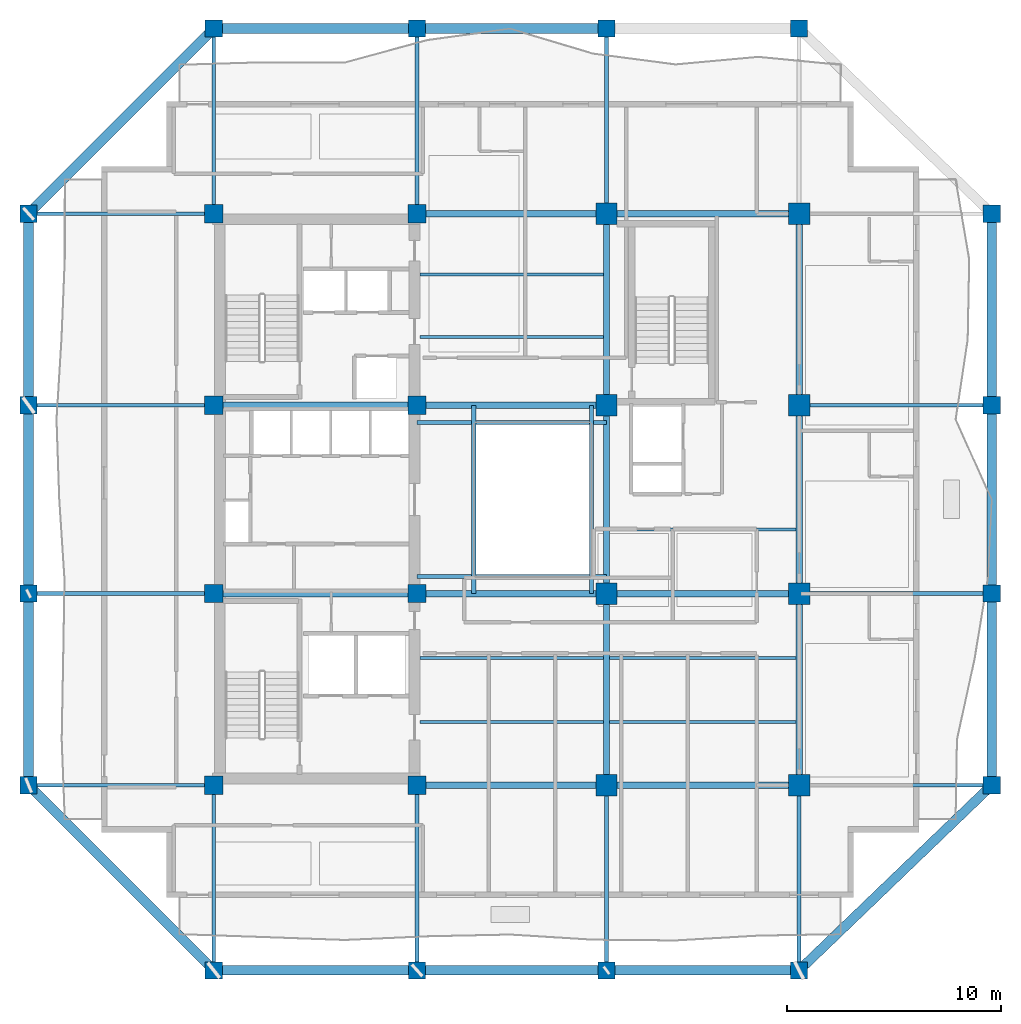
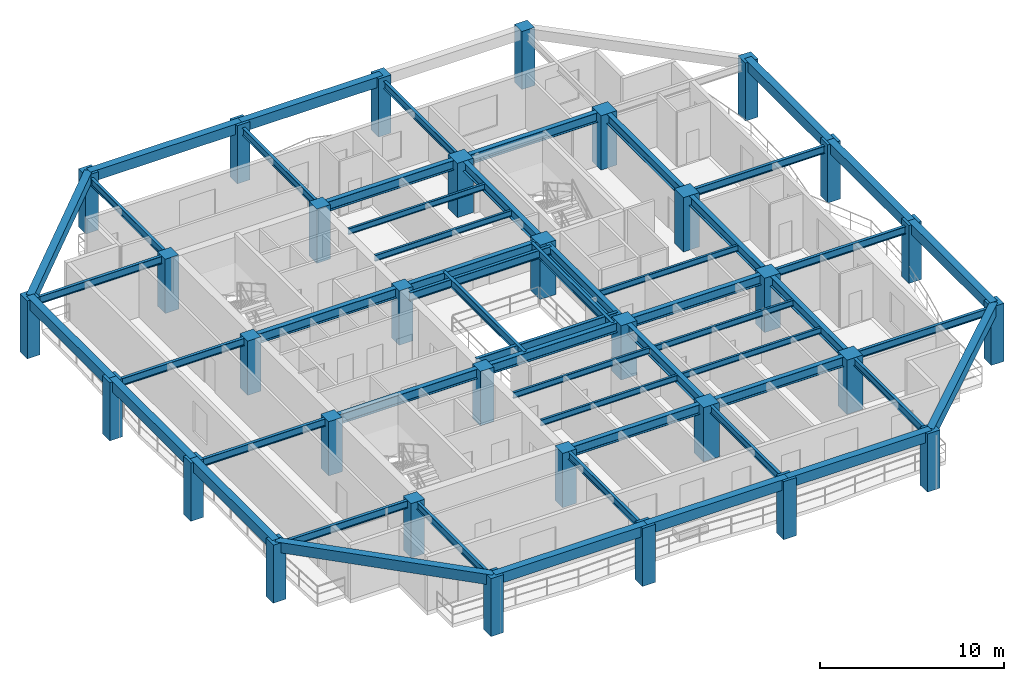
# One storey, part 1 of 11: 54 beams, 32 columns.
"""IFC4 building model written with IfcOpenShell, lengths in metres."""

from ifc_helpers import new_model, si_unit, direction, frame, origin, origin_2d, place, context, subcontext, project, spatial, rectangle, i_section, extrude, material, material_profile, profile_set, type_object, element, save


model = new_model("IFC4")

# Units and contexts
model_context = context("Model", 3, precision=1e-05, world=origin(), true_north=direction((0.0, 1.0)))
body_context = subcontext(model_context, "Body", "Model", "MODEL_VIEW")
ifc_project = project(units=[si_unit("LENGTHUNIT", "METRE"), si_unit("AREAUNIT", "SQUARE_METRE"), si_unit("VOLUMEUNIT", "CUBIC_METRE"), si_unit("PLANEANGLEUNIT", "RADIAN"), si_unit("MASSUNIT", "GRAM", prefix="KILO")], contexts=[model_context])

# Site, building, storey
site_placement = place(None, origin())
site = spatial("IfcSite", under=ifc_project, at=site_placement, CompositionType="ELEMENT")
building_placement = place(site_placement, origin())
building = spatial("IfcBuilding", under=site, at=building_placement, Name="Kundavana Baori Tower", CompositionType="ELEMENT")
storey_placement = place(building_placement, frame((0.0, 0.0, 146.35009765625)))
storey = spatial("IfcBuildingStorey", under=building, at=storey_placement, Name="L35", CompositionType="ELEMENT", Elevation=146.35009765625)

# Columns
ifc_material_1 = material(Name="Concrete C50/60", Category="concrete")
ifc_material_profile_1 = material_profile(ifc_material_1, rectangle(XDim=0.800048828125, YDim=0.800048828125, at=origin_2d()), Name="RC PF 800x800")
ifc_profile_set_1 = profile_set([ifc_material_profile_1], Name="Concrete C50/60")
column_type_1 = type_object("IfcColumnType", Name="COL-PF-800", PredefinedType="COLUMN", material=ifc_profile_set_1)
for number, where, z_axis, x_axis, name in (
    (1, (15.449951171875, 6.60009765625, 0.0), (0.0, 0.0, 1.0), (1.0, 0.0, 0.0), "L35 Stone-Clad Perimeter Frame Column PF-S1"),
    (2, (15.449951171875, 50.60009765625, 0.0), (0.0, 0.0, 1.0), (1.0, 0.0, 0.0), "L35 Stone-Clad Perimeter Frame Column PF-N1"),
    (3, (24.949951171875, 6.60009765625, 0.0), (0.0, 0.0, 1.0), (1.0, 0.0, 0.0), "L35 Stone-Clad Perimeter Frame Column PF-S2"),
    (4, (24.949951171875, 50.60009765625, 0.0), (0.0, 0.0, 1.0), (1.0, 0.0, 0.0), "L35 Stone-Clad Perimeter Frame Column PF-N2"),
    (5, (33.800048828125, 6.60009765625, 0.0), (0.0, 0.0, 1.0), (1.0, 0.0, 0.0), "L35 Stone-Clad Perimeter Frame Column PF-S3"),
    (6, (33.800048828125, 50.60009765625, 0.0), (0.0, 0.0, 1.0), (1.0, 0.0, 0.0), "L35 Stone-Clad Perimeter Frame Column PF-N3"),
    (7, (42.800048828125, 6.60009765625, 0.0), (0.0, 0.0, 1.0), (1.0, 0.0, 0.0), "L35 Stone-Clad Perimeter Frame Column PF-S4"),
    (8, (42.800048828125, 50.60009765625, 0.0), (0.0, 0.0, 1.0), (1.0, 0.0, 0.0), "L35 Stone-Clad Perimeter Frame Column PF-N4"),
    (9, (6.800048828125, 15.25, 0.0), (0.0, 0.0, 1.0), (1.0, 0.0, 0.0), "L35 Stone-Clad Perimeter Frame Column PF-W1"),
    (10, (51.800048828125, 15.25, 0.0), (0.0, 0.0, 1.0), (1.0, 0.0, 0.0), "L35 Stone-Clad Perimeter Frame Column PF-E1"),
    (11, (6.800048828125, 24.199951171875, 0.0), (0.0, 0.0, 1.0), (1.0, 0.0, 0.0), "L35 Stone-Clad Perimeter Frame Column PF-W2"),
    (12, (51.800048828125, 24.199951171875, 0.0), (0.0, 0.0, 1.0), (1.0, 0.0, 0.0), "L35 Stone-Clad Perimeter Frame Column PF-E2"),
    (13, (6.800048828125, 33.0, 0.0), (0.0, 0.0, 1.0), (1.0, 0.0, 0.0), "L35 Stone-Clad Perimeter Frame Column PF-W3"),
    (14, (51.800048828125, 33.0, 0.0), (0.0, 0.0, 1.0), (1.0, 0.0, 0.0), "L35 Stone-Clad Perimeter Frame Column PF-E3"),
    (15, (6.800048828125, 41.949951171875, 0.0), (0.0, 0.0, 1.0), (1.0, 0.0, 0.0), "L35 Stone-Clad Perimeter Frame Column PF-W4"),
    (16, (51.800048828125, 41.949951171875, 0.0), (0.0, 0.0, 1.0), (1.0, 0.0, 0.0), "L35 Stone-Clad Perimeter Frame Column PF-E4"),
):
    element("IfcColumn", number, at=place(storey_placement, frame(where, z_axis=z_axis, x_axis=x_axis)), inside=storey, type_object=column_type_1, Name=name, PredefinedType="COLUMN", context=body_context, shape_type="SweptSolid", body=[
        extrude(rectangle(XDim=0.800048828125, YDim=0.800048828125, at=origin_2d()), origin(), (0.0, 0.0, 1.0), 3.849853515625),
    ])
ifc_material_2 = material(Name="Concrete C50/60", Category="concrete")
ifc_material_profile_2 = material_profile(ifc_material_2, rectangle(XDim=1.0, YDim=1.0, at=origin_2d()), Name="RC 1000x1000")
ifc_profile_set_2 = profile_set([ifc_material_profile_2], Name="Concrete C50/60")
column_type_2 = type_object("IfcColumnType", Name="COL-RC-1000", PredefinedType="COLUMN", material=ifc_profile_set_2)
for number, where, z_axis, x_axis, name in (
    (17, (33.800048828125, 15.25, 0.0), (0.0, 0.0, 1.0), (1.0, 0.0, 0.0), "L35 Interior Column IC-5C"),
    (18, (33.800048828125, 24.199951171875, 0.0), (0.0, 0.0, 1.0), (1.0, 0.0, 0.0), "L35 Interior Column IC-5D"),
    (19, (33.800048828125, 33.0, 0.0), (0.0, 0.0, 1.0), (1.0, 0.0, 0.0), "L35 Interior Column IC-5E"),
    (20, (33.800048828125, 41.949951171875, 0.0), (0.0, 0.0, 1.0), (1.0, 0.0, 0.0), "L35 Interior Column IC-5F"),
    (21, (42.800048828125, 15.25, 0.0), (0.0, 0.0, 1.0), (1.0, 0.0, 0.0), "L35 Interior Column IC-6C"),
    (22, (42.800048828125, 24.199951171875, 0.0), (0.0, 0.0, 1.0), (1.0, 0.0, 0.0), "L35 Interior Column IC-6D"),
    (23, (42.800048828125, 33.0, 0.0), (0.0, 0.0, 1.0), (1.0, 0.0, 0.0), "L35 Interior Column IC-6E"),
    (24, (42.800048828125, 41.949951171875, 0.0), (0.0, 0.0, 1.0), (1.0, 0.0, 0.0), "L35 Interior Column IC-6F"),
):
    element("IfcColumn", number, at=place(storey_placement, frame(where, z_axis=z_axis, x_axis=x_axis)), inside=storey, type_object=column_type_2, Name=name, PredefinedType="COLUMN", context=body_context, shape_type="SweptSolid", body=[
        extrude(rectangle(XDim=1.0, YDim=1.0, at=origin_2d()), origin(), (0.0, 0.0, 1.0), 3.599853515625),
    ])
ifc_material_3 = material(Name="Concrete C50/60", Category="concrete")
ifc_material_profile_3 = material_profile(ifc_material_3, rectangle(XDim=0.85009765625, YDim=0.85009765625, at=origin_2d()), Name="RC 850x850")
ifc_profile_set_3 = profile_set([ifc_material_profile_3], Name="Concrete C50/60")
column_type_3 = type_object("IfcColumnType", Name="COL-RC-850", PredefinedType="COLUMN", material=ifc_profile_set_3)
for number, where, z_axis, x_axis, name in (
    (25, (15.449951171875, 15.25, 0.0), (0.0, 0.0, 1.0), (1.0, 0.0, 0.0), "L35 Interior Column IC-3C"),
    (26, (15.449951171875, 24.199951171875, 0.0), (0.0, 0.0, 1.0), (1.0, 0.0, 0.0), "L35 Interior Column IC-3D"),
    (27, (15.449951171875, 33.0, 0.0), (0.0, 0.0, 1.0), (1.0, 0.0, 0.0), "L35 Interior Column IC-3E"),
    (28, (15.449951171875, 41.949951171875, 0.0), (0.0, 0.0, 1.0), (1.0, 0.0, 0.0), "L35 Interior Column IC-3F"),
    (29, (24.949951171875, 15.25, 0.0), (0.0, 0.0, 1.0), (1.0, 0.0, 0.0), "L35 Interior Column IC-4C"),
    (30, (24.949951171875, 24.199951171875, 0.0), (0.0, 0.0, 1.0), (1.0, 0.0, 0.0), "L35 Interior Column IC-4D"),
    (31, (24.949951171875, 33.0, 0.0), (0.0, 0.0, 1.0), (1.0, 0.0, 0.0), "L35 Interior Column IC-4E"),
    (32, (24.949951171875, 41.949951171875, 0.0), (0.0, 0.0, 1.0), (1.0, 0.0, 0.0), "L35 Interior Column IC-4F"),
):
    element("IfcColumn", number, at=place(storey_placement, frame(where, z_axis=z_axis, x_axis=x_axis)), inside=storey, type_object=column_type_3, Name=name, PredefinedType="COLUMN", context=body_context, shape_type="SweptSolid", body=[
        extrude(rectangle(XDim=0.85009765625, YDim=0.85009765625, at=origin_2d()), origin(), (0.0, 0.0, 1.0), 3.599853515625),
    ])

# Beams
ifc_material_4 = material(Name="Structural Steel S355JR", Category="steel")
ifc_material_profile_4 = material_profile(ifc_material_4, i_section(OverallWidth=0.139892578125, OverallDepth=0.39990234375, WebThickness=0.0087890625, FlangeThickness=0.01611328125, FilletRadius=0.013916015625, at=origin_2d()), Name="ISMB 400")
ifc_profile_set_4 = profile_set([ifc_material_profile_4], Name="Structural Steel S355JR")
beam_type_1 = type_object("IfcBeamType", Name="BM-JST-400", PredefinedType="JOIST", material=ifc_profile_set_4)
for number, where, z_axis, x_axis, name in (
    (33, (25.080078125, 18.199951171875, 3.39990234375), (1.0, 0.0, 0.0), (0.0, 1.0, 0.0), "L35 Central Bay Composite Floor Joist C1"),
    (34, (25.080078125, 21.199951171875, 3.39990234375), (1.0, 0.0, 0.0), (0.0, 1.0, 0.0), "L35 Central Bay Composite Floor Joist C2"),
    (35, (25.080078125, 36.199951171875, 3.39990234375), (1.0, 0.0, 0.0), (0.0, 1.0, 0.0), "L35 Central Bay Composite Floor Joist C3"),
    (36, (25.080078125, 39.10009765625, 3.39990234375), (1.0, 0.0, 0.0), (0.0, 1.0, 0.0), "L35 Central Bay Composite Floor Joist C4"),
):
    element("IfcBeam", number, at=place(storey_placement, frame(where, z_axis=z_axis, x_axis=x_axis)), inside=storey, type_object=beam_type_1, Name=name, PredefinedType="JOIST", context=body_context, shape_type="SweptSolid", body=[
        extrude(i_section(OverallWidth=0.139892578125, OverallDepth=0.39990234375, WebThickness=0.0087890625, FlangeThickness=0.01611328125, FilletRadius=0.013916015625, at=origin_2d()), origin(), (0.0, 0.0, 1.0), 8.56982421875),
    ])
for number, where, z_axis, x_axis, name in (
    (37, (33.949951171875, 18.199951171875, 3.39990234375), (1.0, 0.0, 0.0), (0.0, 1.0, 0.0), "L35 East Bay Composite Floor Joist E1"),
    (38, (33.949951171875, 21.199951171875, 3.39990234375), (1.0, 0.0, 0.0), (0.0, 1.0, 0.0), "L35 East Bay Composite Floor Joist E2"),
    (39, (33.949951171875, 27.199951171875, 3.39990234375), (1.0, 0.0, 0.0), (0.0, 1.0, 0.0), "L35 East Bay Composite Floor Joist E3"),
):
    element("IfcBeam", number, at=place(storey_placement, frame(where, z_axis=z_axis, x_axis=x_axis)), inside=storey, type_object=beam_type_1, Name=name, PredefinedType="JOIST", context=body_context, shape_type="SweptSolid", body=[
        extrude(i_section(OverallWidth=0.139892578125, OverallDepth=0.39990234375, WebThickness=0.0087890625, FlangeThickness=0.01611328125, FilletRadius=0.013916015625, at=origin_2d()), origin(), (0.0, 0.0, 1.0), 8.699951171875),
    ])
ifc_material_5 = material(Name="Concrete C50/60", Category="concrete")
ifc_material_profile_5 = material_profile(ifc_material_5, rectangle(XDim=0.449951171875, YDim=0.679931640625, at=origin_2d()), Name="RC BM 450x680")
ifc_profile_set_5 = profile_set([ifc_material_profile_5], Name="Concrete C50/60")
beam_type_2 = type_object("IfcBeamType", Name="BM-PF-680", PredefinedType="SPANDREL", material=ifc_profile_set_5)
beam_1_placement = place(storey_placement, frame((15.449951171875, 6.60009765625, 3.510009765625), z_axis=(1.0, 0.0, 0.0), x_axis=(0.0, 1.0, 0.0)))
element("IfcBeam", 40, at=beam_1_placement, inside=storey, type_object=beam_type_2, Name="L35 Perimeter Frame Ring Beam S1", PredefinedType="SPANDREL", context=body_context, shape_type="SweptSolid", body=[
    extrude(rectangle(XDim=0.449951171875, YDim=0.679931640625, at=origin_2d()), origin(), (0.0, 0.0, 1.0), 9.5),
])
beam_2_placement = place(storey_placement, frame((24.949951171875, 6.60009765625, 3.510009765625), z_axis=(1.0, 0.0, 0.0), x_axis=(0.0, 1.0, 0.0)))
element("IfcBeam", 41, at=beam_2_placement, inside=storey, type_object=beam_type_2, Name="L35 Perimeter Frame Ring Beam S2", PredefinedType="SPANDREL", context=body_context, shape_type="SweptSolid", body=[
    extrude(rectangle(XDim=0.449951171875, YDim=0.679931640625, at=origin_2d()), origin(), (0.0, 0.0, 1.0), 8.85009765625),
])
beam_3_placement = place(storey_placement, frame((33.800048828125, 6.60009765625, 3.510009765625), z_axis=(1.0, 0.0, 0.0), x_axis=(0.0, 1.0, 0.0)))
element("IfcBeam", 42, at=beam_3_placement, inside=storey, type_object=beam_type_2, Name="L35 Perimeter Frame Ring Beam S3", PredefinedType="SPANDREL", context=body_context, shape_type="SweptSolid", body=[
    extrude(rectangle(XDim=0.449951171875, YDim=0.679931640625, at=origin_2d()), origin(), (0.0, 0.0, 1.0), 9.0),
])
beam_4_placement = place(storey_placement, frame((15.449951171875, 50.60009765625, 3.510009765625), z_axis=(1.0, 0.0, 0.0), x_axis=(0.0, 1.0, 0.0)))
element("IfcBeam", 43, at=beam_4_placement, inside=storey, type_object=beam_type_2, Name="L35 Perimeter Frame Ring Beam N1", PredefinedType="SPANDREL", context=body_context, shape_type="SweptSolid", body=[
    extrude(rectangle(XDim=0.449951171875, YDim=0.679931640625, at=origin_2d()), origin(), (0.0, 0.0, 1.0), 9.5),
])
beam_5_placement = place(storey_placement, frame((24.949951171875, 50.60009765625, 3.510009765625), z_axis=(1.0, 0.0, 0.0), x_axis=(0.0, 1.0, 0.0)))
element("IfcBeam", 44, at=beam_5_placement, inside=storey, type_object=beam_type_2, Name="L35 Perimeter Frame Ring Beam N2", PredefinedType="SPANDREL", context=body_context, shape_type="SweptSolid", body=[
    extrude(rectangle(XDim=0.449951171875, YDim=0.679931640625, at=origin_2d()), origin(), (0.0, 0.0, 1.0), 8.85009765625),
])
beam_6_placement = place(storey_placement, frame((6.800048828125, 15.25, 3.510009765625), z_axis=(0.0, 1.0, 0.0), x_axis=(-1.0, 0.0, 0.0)))
element("IfcBeam", 45, at=beam_6_placement, inside=storey, type_object=beam_type_2, Name="L35 Perimeter Frame Ring Beam W1", PredefinedType="SPANDREL", context=body_context, shape_type="SweptSolid", body=[
    extrude(rectangle(XDim=0.449951171875, YDim=0.679931640625, at=origin_2d()), origin(), (0.0, 0.0, 1.0), 8.949951171875),
])
beam_7_placement = place(storey_placement, frame((6.800048828125, 24.199951171875, 3.510009765625), z_axis=(0.0, 1.0, 0.0), x_axis=(-1.0, 0.0, 0.0)))
element("IfcBeam", 46, at=beam_7_placement, inside=storey, type_object=beam_type_2, Name="L35 Perimeter Frame Ring Beam W2", PredefinedType="SPANDREL", context=body_context, shape_type="SweptSolid", body=[
    extrude(rectangle(XDim=0.449951171875, YDim=0.679931640625, at=origin_2d()), origin(), (0.0, 0.0, 1.0), 8.800048828125),
])
for number, where, z_axis, x_axis, name in (
    (47, (6.800048828125, 33.0, 3.510009765625), (0.0, 1.0, 0.0), (-1.0, 0.0, 0.0), "L35 Perimeter Frame Ring Beam W3"),
    (48, (51.800048828125, 15.25, 3.510009765625), (0.0, 1.0, 0.0), (-1.0, 0.0, 0.0), "L35 Perimeter Frame Ring Beam E1"),
):
    element("IfcBeam", number, at=place(storey_placement, frame(where, z_axis=z_axis, x_axis=x_axis)), inside=storey, type_object=beam_type_2, Name=name, PredefinedType="SPANDREL", context=body_context, shape_type="SweptSolid", body=[
        extrude(rectangle(XDim=0.449951171875, YDim=0.679931640625, at=origin_2d()), origin(), (0.0, 0.0, 1.0), 8.949951171875),
    ])
beam_8_placement = place(storey_placement, frame((51.800048828125, 24.199951171875, 3.510009765625), z_axis=(0.0, 1.0, 0.0), x_axis=(-1.0, 0.0, 0.0)))
element("IfcBeam", 49, at=beam_8_placement, inside=storey, type_object=beam_type_2, Name="L35 Perimeter Frame Ring Beam E2", PredefinedType="SPANDREL", context=body_context, shape_type="SweptSolid", body=[
    extrude(rectangle(XDim=0.449951171875, YDim=0.679931640625, at=origin_2d()), origin(), (0.0, 0.0, 1.0), 8.800048828125),
])
beam_9_placement = place(storey_placement, frame((51.800048828125, 33.0, 3.510009765625), z_axis=(0.0, 1.0, 0.0), x_axis=(-1.0, 0.0, 0.0)))
element("IfcBeam", 50, at=beam_9_placement, inside=storey, type_object=beam_type_2, Name="L35 Perimeter Frame Ring Beam E3", PredefinedType="SPANDREL", context=body_context, shape_type="SweptSolid", body=[
    extrude(rectangle(XDim=0.449951171875, YDim=0.679931640625, at=origin_2d()), origin(), (0.0, 0.0, 1.0), 8.949951171875),
])
beam_10_placement = place(storey_placement, frame((15.449951171875, 6.60009765625, 3.510009765625), z_axis=(-0.707106781187, 0.707106781187, 0.0), x_axis=(-0.707106781187, -0.707106781187, 0.0)))
element("IfcBeam", 51, at=beam_10_placement, inside=storey, type_object=beam_type_2, Name="L35 Notched Corner Perimeter Beam SW", PredefinedType="SPANDREL", context=body_context, shape_type="SweptSolid", body=[
    extrude(rectangle(XDim=0.449951171875, YDim=0.679931640625, at=origin_2d()), origin(), (0.0, 0.0, 1.0), 12.23291015625),
])
beam_11_placement = place(storey_placement, frame((42.800048828125, 6.60009765625, 3.510009765625), z_axis=(0.720990894297, 0.692944536266, 0.0), x_axis=(-0.692944536266, 0.720990894297, 0.0)))
element("IfcBeam", 52, at=beam_11_placement, inside=storey, type_object=beam_type_2, Name="L35 Notched Corner Perimeter Beam SE", PredefinedType="SPANDREL", context=body_context, shape_type="SweptSolid", body=[
    extrude(rectangle(XDim=0.449951171875, YDim=0.679931640625, at=origin_2d()), origin(), (0.0, 0.0, 1.0), 12.48291015625),
])
beam_12_placement = place(storey_placement, frame((15.449951171875, 50.60009765625, 3.510009765625), z_axis=(-0.70709680233, -0.707116759903, 0.0), x_axis=(0.707116759903, -0.70709680233, 0.0)))
element("IfcBeam", 53, at=beam_12_placement, inside=storey, type_object=beam_type_2, Name="L35 Notched Corner Perimeter Beam NW", PredefinedType="SPANDREL", context=body_context, shape_type="SweptSolid", body=[
    extrude(rectangle(XDim=0.449951171875, YDim=0.679931640625, at=origin_2d()), origin(), (0.0, 0.0, 1.0), 12.23291015625),
])
ifc_material_6 = material(Name="Structural Steel S355JR", Category="steel")
ifc_material_profile_6 = material_profile(ifc_material_6, i_section(OverallWidth=0.18994140625, OverallDepth=0.550048828125, WebThickness=0.01123046875, FlangeThickness=0.019287109375, FilletRadius=0.01806640625, at=origin_2d()), Name="ISMB 550")
ifc_profile_set_6 = profile_set([ifc_material_profile_6], Name="Structural Steel S355JR")
beam_type_3 = type_object("IfcBeamType", Name="BM-ST-550", PredefinedType="BEAM", material=ifc_profile_set_6)
for number, where, z_axis, x_axis, name in (
    (54, (27.60009765625, 24.199951171875, 3.324951171875), (0.0, 1.0, 0.0), (-1.0, 0.0, 0.0), "L35 Atrium West Edge Beam"),
    (55, (33.10009765625, 24.199951171875, 3.324951171875), (0.0, 1.0, 0.0), (-1.0, 0.0, 0.0), "L35 Atrium East Edge Beam"),
):
    element("IfcBeam", number, at=place(storey_placement, frame(where, z_axis=z_axis, x_axis=x_axis)), inside=storey, type_object=beam_type_3, Name=name, PredefinedType="BEAM", context=body_context, shape_type="SweptSolid", body=[
        extrude(i_section(OverallWidth=0.18994140625, OverallDepth=0.550048828125, WebThickness=0.01123046875, FlangeThickness=0.019287109375, FilletRadius=0.01806640625, at=origin_2d()), origin(), (0.0, 0.0, 1.0), 8.800048828125),
    ])
for number, where, z_axis, x_axis, name in (
    (56, (24.949951171875, 25.0, 3.324951171875), (1.0, 0.0, 0.0), (0.0, 1.0, 0.0), "L35 Atrium South Edge Beam"),
    (57, (24.949951171875, 32.199951171875, 3.324951171875), (1.0, 0.0, 0.0), (0.0, 1.0, 0.0), "L35 Atrium North Edge Beam"),
):
    element("IfcBeam", number, at=place(storey_placement, frame(where, z_axis=z_axis, x_axis=x_axis)), inside=storey, type_object=beam_type_3, Name=name, PredefinedType="BEAM", context=body_context, shape_type="SweptSolid", body=[
        extrude(i_section(OverallWidth=0.18994140625, OverallDepth=0.550048828125, WebThickness=0.01123046875, FlangeThickness=0.019287109375, FilletRadius=0.01806640625, at=origin_2d()), origin(), (0.0, 0.0, 1.0), 8.85009765625),
    ])
ifc_material_7 = material(Name="Structural Steel S355JR", Category="steel")
ifc_material_profile_7 = material_profile(ifc_material_7, i_section(OverallWidth=0.300048828125, OverallDepth=0.64990234375, WebThickness=0.013427734375, FlangeThickness=0.02197265625, FilletRadius=0.02392578125, at=origin_2d()), Name="NPB 650x300x155")
ifc_profile_set_7 = profile_set([ifc_material_profile_7], Name="Structural Steel S355JR")
beam_type_4 = type_object("IfcBeamType", Name="BM-ST-650", PredefinedType="BEAM", material=ifc_profile_set_7)
beam_13_placement = place(storey_placement, frame((24.949951171875, 15.25, 3.27490234375), z_axis=(1.0, 0.0, 0.0), x_axis=(0.0, 1.0, 0.0)))
element("IfcBeam", 58, at=beam_13_placement, inside=storey, type_object=beam_type_4, Name="L35 Primary Grid Girder GX-1-2", PredefinedType="BEAM", context=body_context, shape_type="SweptSolid", body=[
    extrude(i_section(OverallWidth=0.300048828125, OverallDepth=0.64990234375, WebThickness=0.013427734375, FlangeThickness=0.02197265625, FilletRadius=0.02392578125, at=origin_2d()), origin(), (0.0, 0.0, 1.0), 8.85009765625),
])
beam_14_placement = place(storey_placement, frame((33.800048828125, 15.25, 3.27490234375), z_axis=(1.0, 0.0, 0.0), x_axis=(0.0, 1.0, 0.0)))
element("IfcBeam", 59, at=beam_14_placement, inside=storey, type_object=beam_type_4, Name="L35 Primary Grid Girder GX-1-3", PredefinedType="BEAM", context=body_context, shape_type="SweptSolid", body=[
    extrude(i_section(OverallWidth=0.300048828125, OverallDepth=0.64990234375, WebThickness=0.013427734375, FlangeThickness=0.02197265625, FilletRadius=0.02392578125, at=origin_2d()), origin(), (0.0, 0.0, 1.0), 9.0),
])
beam_15_placement = place(storey_placement, frame((15.449951171875, 24.199951171875, 3.27490234375), z_axis=(1.0, 0.0, 0.0), x_axis=(0.0, 1.0, 0.0)))
element("IfcBeam", 60, at=beam_15_placement, inside=storey, type_object=beam_type_4, Name="L35 Primary Grid Girder GX-2-1", PredefinedType="BEAM", context=body_context, shape_type="SweptSolid", body=[
    extrude(i_section(OverallWidth=0.300048828125, OverallDepth=0.64990234375, WebThickness=0.013427734375, FlangeThickness=0.02197265625, FilletRadius=0.02392578125, at=origin_2d()), origin(), (0.0, 0.0, 1.0), 9.5),
])
beam_16_placement = place(storey_placement, frame((24.949951171875, 24.199951171875, 3.27490234375), z_axis=(1.0, 0.0, 0.0), x_axis=(0.0, 1.0, 0.0)))
element("IfcBeam", 61, at=beam_16_placement, inside=storey, type_object=beam_type_4, Name="L35 Primary Grid Girder GX-2-2", PredefinedType="BEAM", context=body_context, shape_type="SweptSolid", body=[
    extrude(i_section(OverallWidth=0.300048828125, OverallDepth=0.64990234375, WebThickness=0.013427734375, FlangeThickness=0.02197265625, FilletRadius=0.02392578125, at=origin_2d()), origin(), (0.0, 0.0, 1.0), 8.85009765625),
])
beam_17_placement = place(storey_placement, frame((33.800048828125, 24.199951171875, 3.27490234375), z_axis=(1.0, 0.0, 0.0), x_axis=(0.0, 1.0, 0.0)))
element("IfcBeam", 62, at=beam_17_placement, inside=storey, type_object=beam_type_4, Name="L35 Primary Grid Girder GX-2-3", PredefinedType="BEAM", context=body_context, shape_type="SweptSolid", body=[
    extrude(i_section(OverallWidth=0.300048828125, OverallDepth=0.64990234375, WebThickness=0.013427734375, FlangeThickness=0.02197265625, FilletRadius=0.02392578125, at=origin_2d()), origin(), (0.0, 0.0, 1.0), 9.0),
])
beam_18_placement = place(storey_placement, frame((15.449951171875, 33.0, 3.27490234375), z_axis=(1.0, 0.0, 0.0), x_axis=(0.0, 1.0, 0.0)))
element("IfcBeam", 63, at=beam_18_placement, inside=storey, type_object=beam_type_4, Name="L35 Primary Grid Girder GX-3-1", PredefinedType="BEAM", context=body_context, shape_type="SweptSolid", body=[
    extrude(i_section(OverallWidth=0.300048828125, OverallDepth=0.64990234375, WebThickness=0.013427734375, FlangeThickness=0.02197265625, FilletRadius=0.02392578125, at=origin_2d()), origin(), (0.0, 0.0, 1.0), 9.5),
])
for number, where, z_axis, x_axis, name in (
    (64, (24.949951171875, 33.0, 3.27490234375), (1.0, 0.0, 0.0), (0.0, 1.0, 0.0), "L35 Primary Grid Girder GX-3-2"),
    (65, (24.949951171875, 41.949951171875, 3.27490234375), (1.0, 0.0, 0.0), (0.0, 1.0, 0.0), "L35 Primary Grid Girder GX-4-2"),
):
    element("IfcBeam", number, at=place(storey_placement, frame(where, z_axis=z_axis, x_axis=x_axis)), inside=storey, type_object=beam_type_4, Name=name, PredefinedType="BEAM", context=body_context, shape_type="SweptSolid", body=[
        extrude(i_section(OverallWidth=0.300048828125, OverallDepth=0.64990234375, WebThickness=0.013427734375, FlangeThickness=0.02197265625, FilletRadius=0.02392578125, at=origin_2d()), origin(), (0.0, 0.0, 1.0), 8.85009765625),
    ])
beam_19_placement = place(storey_placement, frame((33.800048828125, 41.949951171875, 3.27490234375), z_axis=(1.0, 0.0, 0.0), x_axis=(0.0, 1.0, 0.0)))
element("IfcBeam", 66, at=beam_19_placement, inside=storey, type_object=beam_type_4, Name="L35 Primary Grid Girder GX-4-3", PredefinedType="BEAM", context=body_context, shape_type="SweptSolid", body=[
    extrude(i_section(OverallWidth=0.300048828125, OverallDepth=0.64990234375, WebThickness=0.013427734375, FlangeThickness=0.02197265625, FilletRadius=0.02392578125, at=origin_2d()), origin(), (0.0, 0.0, 1.0), 9.0),
])
beam_20_placement = place(storey_placement, frame((33.800048828125, 15.25, 3.27490234375), z_axis=(0.0, 1.0, 0.0), x_axis=(-1.0, 0.0, 0.0)))
element("IfcBeam", 67, at=beam_20_placement, inside=storey, type_object=beam_type_4, Name="L35 Primary Grid Girder GY-3-1", PredefinedType="BEAM", context=body_context, shape_type="SweptSolid", body=[
    extrude(i_section(OverallWidth=0.300048828125, OverallDepth=0.64990234375, WebThickness=0.013427734375, FlangeThickness=0.02197265625, FilletRadius=0.02392578125, at=origin_2d()), origin(), (0.0, 0.0, 1.0), 8.949951171875),
])
beam_21_placement = place(storey_placement, frame((33.800048828125, 24.199951171875, 3.27490234375), z_axis=(0.0, 1.0, 0.0), x_axis=(-1.0, 0.0, 0.0)))
element("IfcBeam", 68, at=beam_21_placement, inside=storey, type_object=beam_type_4, Name="L35 Primary Grid Girder GY-3-2", PredefinedType="BEAM", context=body_context, shape_type="SweptSolid", body=[
    extrude(i_section(OverallWidth=0.300048828125, OverallDepth=0.64990234375, WebThickness=0.013427734375, FlangeThickness=0.02197265625, FilletRadius=0.02392578125, at=origin_2d()), origin(), (0.0, 0.0, 1.0), 8.800048828125),
])
for number, where, z_axis, x_axis, name in (
    (69, (33.800048828125, 33.0, 3.27490234375), (0.0, 1.0, 0.0), (-1.0, 0.0, 0.0), "L35 Primary Grid Girder GY-3-3"),
    (70, (42.800048828125, 15.25, 3.27490234375), (0.0, 1.0, 0.0), (-1.0, 0.0, 0.0), "L35 Primary Grid Girder GY-4-1"),
):
    element("IfcBeam", number, at=place(storey_placement, frame(where, z_axis=z_axis, x_axis=x_axis)), inside=storey, type_object=beam_type_4, Name=name, PredefinedType="BEAM", context=body_context, shape_type="SweptSolid", body=[
        extrude(i_section(OverallWidth=0.300048828125, OverallDepth=0.64990234375, WebThickness=0.013427734375, FlangeThickness=0.02197265625, FilletRadius=0.02392578125, at=origin_2d()), origin(), (0.0, 0.0, 1.0), 8.949951171875),
    ])
beam_22_placement = place(storey_placement, frame((42.800048828125, 24.199951171875, 3.27490234375), z_axis=(0.0, 1.0, 0.0), x_axis=(-1.0, 0.0, 0.0)))
element("IfcBeam", 71, at=beam_22_placement, inside=storey, type_object=beam_type_4, Name="L35 Primary Grid Girder GY-4-2", PredefinedType="BEAM", context=body_context, shape_type="SweptSolid", body=[
    extrude(i_section(OverallWidth=0.300048828125, OverallDepth=0.64990234375, WebThickness=0.013427734375, FlangeThickness=0.02197265625, FilletRadius=0.02392578125, at=origin_2d()), origin(), (0.0, 0.0, 1.0), 8.800048828125),
])
beam_23_placement = place(storey_placement, frame((42.800048828125, 33.0, 3.27490234375), z_axis=(0.0, 1.0, 0.0), x_axis=(-1.0, 0.0, 0.0)))
element("IfcBeam", 72, at=beam_23_placement, inside=storey, type_object=beam_type_4, Name="L35 Primary Grid Girder GY-4-3", PredefinedType="BEAM", context=body_context, shape_type="SweptSolid", body=[
    extrude(i_section(OverallWidth=0.300048828125, OverallDepth=0.64990234375, WebThickness=0.013427734375, FlangeThickness=0.02197265625, FilletRadius=0.02392578125, at=origin_2d()), origin(), (0.0, 0.0, 1.0), 8.949951171875),
])
ifc_material_8 = material(Name="Structural Steel S355JR", Category="steel")
ifc_material_profile_8 = material_profile(ifc_material_8, i_section(OverallWidth=0.179931640625, OverallDepth=0.5, WebThickness=0.01025390625, FlangeThickness=0.01708984375, FilletRadius=0.01708984375, at=origin_2d()), Name="ISMB 500")
ifc_profile_set_8 = profile_set([ifc_material_profile_8], Name="Structural Steel S355JR")
beam_type_5 = type_object("IfcBeamType", Name="BM-TIE-500", PredefinedType="BEAM", material=ifc_profile_set_8)
beam_24_placement = place(storey_placement, frame((15.449951171875, 15.25, 3.349853515625), z_axis=(0.0, -1.0, 0.0), x_axis=(1.0, 0.0, 0.0)))
element("IfcBeam", 73, at=beam_24_placement, inside=storey, type_object=beam_type_5, Name="L35 South Radial Loggia Tie Beam S1", PredefinedType="BEAM", context=body_context, shape_type="SweptSolid", body=[
    extrude(i_section(OverallWidth=0.179931640625, OverallDepth=0.5, WebThickness=0.01025390625, FlangeThickness=0.01708984375, FilletRadius=0.01708984375, at=origin_2d()), origin(), (0.0, 0.0, 1.0), 8.64990234375),
])
beam_25_placement = place(storey_placement, frame((15.449951171875, 41.949951171875, 3.349853515625), z_axis=(0.0, 1.0, 0.0), x_axis=(-1.0, 0.0, 0.0)))
element("IfcBeam", 74, at=beam_25_placement, inside=storey, type_object=beam_type_5, Name="L35 North Radial Loggia Tie Beam N1", PredefinedType="BEAM", context=body_context, shape_type="SweptSolid", body=[
    extrude(i_section(OverallWidth=0.179931640625, OverallDepth=0.5, WebThickness=0.01025390625, FlangeThickness=0.01708984375, FilletRadius=0.01708984375, at=origin_2d()), origin(), (0.0, 0.0, 1.0), 8.650146484375),
])
beam_26_placement = place(storey_placement, frame((24.949951171875, 15.25, 3.349853515625), z_axis=(0.0, -1.0, 0.0), x_axis=(1.0, 0.0, 0.0)))
element("IfcBeam", 75, at=beam_26_placement, inside=storey, type_object=beam_type_5, Name="L35 South Radial Loggia Tie Beam S2", PredefinedType="BEAM", context=body_context, shape_type="SweptSolid", body=[
    extrude(i_section(OverallWidth=0.179931640625, OverallDepth=0.5, WebThickness=0.01025390625, FlangeThickness=0.01708984375, FilletRadius=0.01708984375, at=origin_2d()), origin(), (0.0, 0.0, 1.0), 8.64990234375),
])
beam_27_placement = place(storey_placement, frame((24.949951171875, 41.949951171875, 3.349853515625), z_axis=(0.0, 1.0, 0.0), x_axis=(-1.0, 0.0, 0.0)))
element("IfcBeam", 76, at=beam_27_placement, inside=storey, type_object=beam_type_5, Name="L35 North Radial Loggia Tie Beam N2", PredefinedType="BEAM", context=body_context, shape_type="SweptSolid", body=[
    extrude(i_section(OverallWidth=0.179931640625, OverallDepth=0.5, WebThickness=0.01025390625, FlangeThickness=0.01708984375, FilletRadius=0.01708984375, at=origin_2d()), origin(), (0.0, 0.0, 1.0), 8.650146484375),
])
beam_28_placement = place(storey_placement, frame((33.800048828125, 15.25, 3.349853515625), z_axis=(0.0, -1.0, 0.0), x_axis=(1.0, 0.0, 0.0)))
element("IfcBeam", 77, at=beam_28_placement, inside=storey, type_object=beam_type_5, Name="L35 South Radial Loggia Tie Beam S3", PredefinedType="BEAM", context=body_context, shape_type="SweptSolid", body=[
    extrude(i_section(OverallWidth=0.179931640625, OverallDepth=0.5, WebThickness=0.01025390625, FlangeThickness=0.01708984375, FilletRadius=0.01708984375, at=origin_2d()), origin(), (0.0, 0.0, 1.0), 8.64990234375),
])
beam_29_placement = place(storey_placement, frame((33.800048828125, 41.949951171875, 3.349853515625), z_axis=(0.0, 1.0, 0.0), x_axis=(-1.0, 0.0, 0.0)))
element("IfcBeam", 78, at=beam_29_placement, inside=storey, type_object=beam_type_5, Name="L35 North Radial Loggia Tie Beam N3", PredefinedType="BEAM", context=body_context, shape_type="SweptSolid", body=[
    extrude(i_section(OverallWidth=0.179931640625, OverallDepth=0.5, WebThickness=0.01025390625, FlangeThickness=0.01708984375, FilletRadius=0.01708984375, at=origin_2d()), origin(), (0.0, 0.0, 1.0), 8.650146484375),
])
for number, where, z_axis, x_axis, name in (
    (79, (42.800048828125, 15.25, 3.349853515625), (0.0, -1.0, 0.0), (1.0, 0.0, 0.0), "L35 South Radial Loggia Tie Beam S4"),
    (80, (15.449951171875, 15.25, 3.349853515625), (-1.0, 0.0, 0.0), (0.0, -1.0, 0.0), "L35 West Radial Loggia Tie Beam W1"),
):
    element("IfcBeam", number, at=place(storey_placement, frame(where, z_axis=z_axis, x_axis=x_axis)), inside=storey, type_object=beam_type_5, Name=name, PredefinedType="BEAM", context=body_context, shape_type="SweptSolid", body=[
        extrude(i_section(OverallWidth=0.179931640625, OverallDepth=0.5, WebThickness=0.01025390625, FlangeThickness=0.01708984375, FilletRadius=0.01708984375, at=origin_2d()), origin(), (0.0, 0.0, 1.0), 8.64990234375),
    ])
beam_30_placement = place(storey_placement, frame((42.800048828125, 15.25, 3.349853515625), z_axis=(1.0, 0.0, 0.0), x_axis=(0.0, 1.0, 0.0)))
element("IfcBeam", 81, at=beam_30_placement, inside=storey, type_object=beam_type_5, Name="L35 East Radial Loggia Tie Beam E1", PredefinedType="BEAM", context=body_context, shape_type="SweptSolid", body=[
    extrude(i_section(OverallWidth=0.179931640625, OverallDepth=0.5, WebThickness=0.01025390625, FlangeThickness=0.01708984375, FilletRadius=0.01708984375, at=origin_2d()), origin(), (0.0, 0.0, 1.0), 9.0),
])
beam_31_placement = place(storey_placement, frame((15.449951171875, 24.199951171875, 3.349853515625), z_axis=(-1.0, 0.0, 0.0), x_axis=(0.0, -1.0, 0.0)))
element("IfcBeam", 82, at=beam_31_placement, inside=storey, type_object=beam_type_5, Name="L35 West Radial Loggia Tie Beam W2", PredefinedType="BEAM", context=body_context, shape_type="SweptSolid", body=[
    extrude(i_section(OverallWidth=0.179931640625, OverallDepth=0.5, WebThickness=0.01025390625, FlangeThickness=0.01708984375, FilletRadius=0.01708984375, at=origin_2d()), origin(), (0.0, 0.0, 1.0), 8.64990234375),
])
beam_32_placement = place(storey_placement, frame((42.800048828125, 24.199951171875, 3.349853515625), z_axis=(1.0, 0.0, 0.0), x_axis=(0.0, 1.0, 0.0)))
element("IfcBeam", 83, at=beam_32_placement, inside=storey, type_object=beam_type_5, Name="L35 East Radial Loggia Tie Beam E2", PredefinedType="BEAM", context=body_context, shape_type="SweptSolid", body=[
    extrude(i_section(OverallWidth=0.179931640625, OverallDepth=0.5, WebThickness=0.01025390625, FlangeThickness=0.01708984375, FilletRadius=0.01708984375, at=origin_2d()), origin(), (0.0, 0.0, 1.0), 9.0),
])
beam_33_placement = place(storey_placement, frame((15.449951171875, 33.0, 3.349853515625), z_axis=(-1.0, 0.0, 0.0), x_axis=(0.0, -1.0, 0.0)))
element("IfcBeam", 84, at=beam_33_placement, inside=storey, type_object=beam_type_5, Name="L35 West Radial Loggia Tie Beam W3", PredefinedType="BEAM", context=body_context, shape_type="SweptSolid", body=[
    extrude(i_section(OverallWidth=0.179931640625, OverallDepth=0.5, WebThickness=0.01025390625, FlangeThickness=0.01708984375, FilletRadius=0.01708984375, at=origin_2d()), origin(), (0.0, 0.0, 1.0), 8.64990234375),
])
beam_34_placement = place(storey_placement, frame((42.800048828125, 33.0, 3.349853515625), z_axis=(1.0, 0.0, 0.0), x_axis=(0.0, 1.0, 0.0)))
element("IfcBeam", 85, at=beam_34_placement, inside=storey, type_object=beam_type_5, Name="L35 East Radial Loggia Tie Beam E3", PredefinedType="BEAM", context=body_context, shape_type="SweptSolid", body=[
    extrude(i_section(OverallWidth=0.179931640625, OverallDepth=0.5, WebThickness=0.01025390625, FlangeThickness=0.01708984375, FilletRadius=0.01708984375, at=origin_2d()), origin(), (0.0, 0.0, 1.0), 9.0),
])
beam_35_placement = place(storey_placement, frame((15.449951171875, 41.949951171875, 3.349853515625), z_axis=(-1.0, 0.0, 0.0), x_axis=(0.0, -1.0, 0.0)))
element("IfcBeam", 86, at=beam_35_placement, inside=storey, type_object=beam_type_5, Name="L35 West Radial Loggia Tie Beam W4", PredefinedType="BEAM", context=body_context, shape_type="SweptSolid", body=[
    extrude(i_section(OverallWidth=0.179931640625, OverallDepth=0.5, WebThickness=0.01025390625, FlangeThickness=0.01708984375, FilletRadius=0.01708984375, at=origin_2d()), origin(), (0.0, 0.0, 1.0), 8.64990234375),
])

save(model, "model.ifc")
